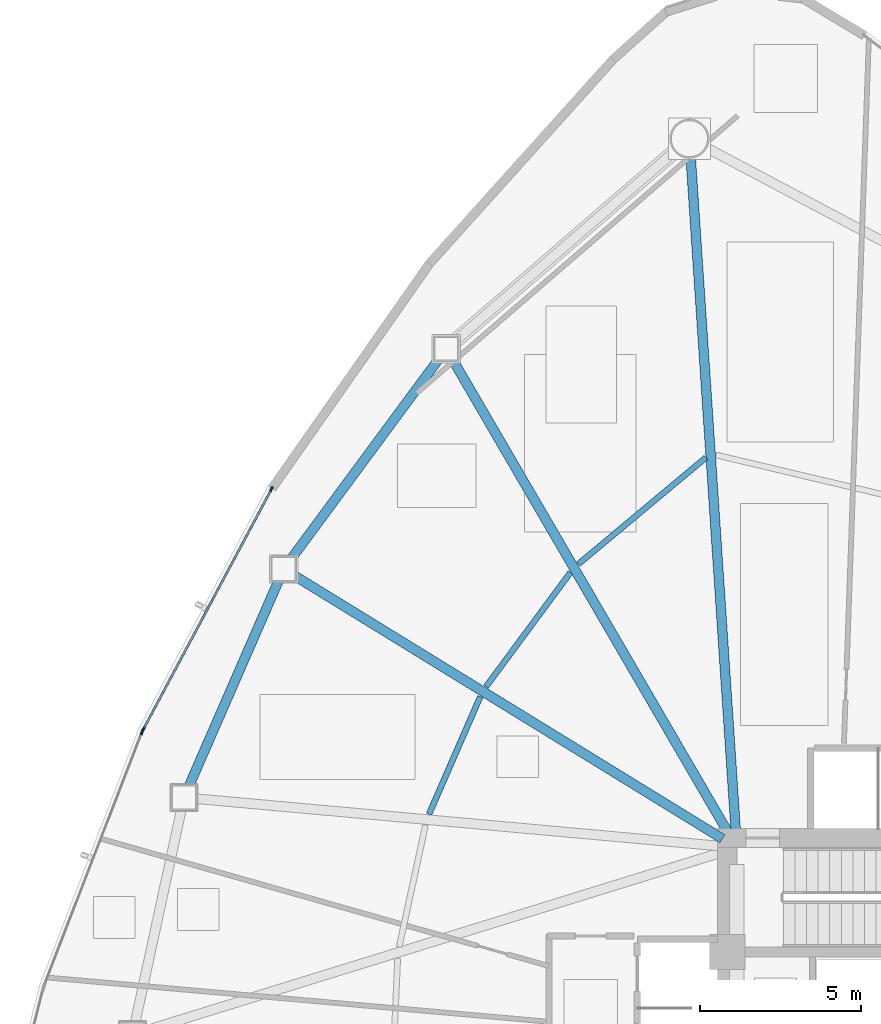
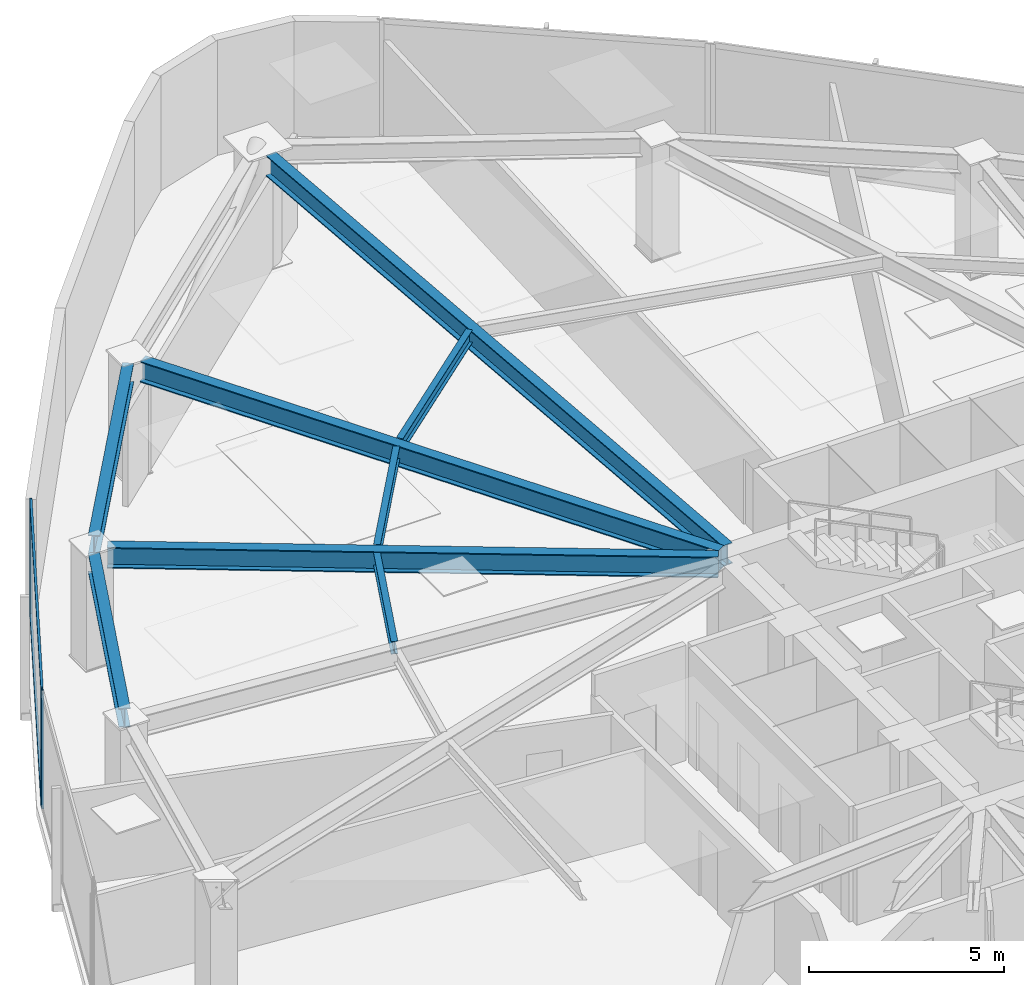
# One storey, part 8 of 18: 8 beams, 5 members, 2 elements without a shape of their own.
"""IFC4 building model written with IfcOpenShell, lengths in metres."""

from ifc_helpers import new_model, si_unit, direction, frame, origin, origin_2d, place, context, subcontext, project, spatial, hollow_rectangle, i_section, extrude, source, transform, mapped, material, layer, layer_set, material_profile, profile_set, type_object, type_shapes, element, aggregate, save


model = new_model("IFC4")

# Units and contexts
model_context = context("Model", 3, precision=1e-05, world=origin(), true_north=direction((0.0, 1.0)))
body_context = subcontext(model_context, "Body", "Model", "MODEL_VIEW")
ifc_project = project(units=[si_unit("LENGTHUNIT", "METRE"), si_unit("AREAUNIT", "SQUARE_METRE"), si_unit("VOLUMEUNIT", "CUBIC_METRE"), si_unit("PLANEANGLEUNIT", "RADIAN"), si_unit("MASSUNIT", "GRAM", prefix="KILO")], contexts=[model_context])

# Site, building, storey
site_placement = place(None, origin())
site = spatial("IfcSite", under=ifc_project, at=site_placement, CompositionType="ELEMENT")
building_placement = place(site_placement, origin())
building = spatial("IfcBuilding", under=site, at=building_placement, Name="Tavelor Broadcast Tower", CompositionType="ELEMENT")
storey_placement = place(building_placement, frame((0.0, 0.0, 47.10009765625)))
storey = spatial("IfcBuildingStorey", under=building, at=storey_placement, Name="L10", CompositionType="ELEMENT", Elevation=47.10009765625)

# Beams
ifc_material_1 = material(Name="Steel S355", Category="steel")
ifc_material_profile_1 = material_profile(ifc_material_1, i_section(OverallWidth=0.179931640625, OverallDepth=0.39990234375, WebThickness=0.008544921875, FlangeThickness=0.013427734375, at=origin_2d()), Name="IPE 400")
ifc_profile_set_1 = profile_set([ifc_material_profile_1], Name="Steel S355")
beam_type_1 = type_object("IfcBeamType", Name="Composite Floor Joist T1 IPE 400", PredefinedType="JOIST", material=ifc_profile_set_1)
beam_1_placement = place(storey_placement, frame((42.4404296875, 63.345947265625, 3.39990234375), z_axis=(-0.767560074089, -0.640977014146, 0.0), x_axis=(0.640977014146, -0.767560074089, 0.0)))
element("IfcBeam", 1, at=beam_1_placement, inside=storey, type_object=beam_type_1, Name="L10 Secondary Composite Floor Joist 01", PredefinedType="JOIST", context=body_context, shape_type="SweptSolid", body=[
    extrude(i_section(OverallWidth=0.179931640625, OverallDepth=0.39990234375, WebThickness=0.008544921875, FlangeThickness=0.013427734375, at=origin_2d()), origin(), (0.0, 0.0, 1.0), 5.178466796875),
])
beam_2_placement = place(storey_placement, frame((38.218994140625, 59.764892578125, 3.39990234375), z_axis=(-0.594310286319, -0.804235838281, 0.0), x_axis=(0.804235838281, -0.594310286319, 0.0)))
element("IfcBeam", 2, at=beam_2_placement, inside=storey, type_object=beam_type_1, Name="L10 Secondary Composite Floor Joist 02", PredefinedType="JOIST", context=body_context, shape_type="SweptSolid", body=[
    extrude(i_section(OverallWidth=0.179931640625, OverallDepth=0.39990234375, WebThickness=0.008544921875, FlangeThickness=0.013427734375, at=origin_2d()), origin(), (0.0, 0.0, 1.0), 4.41943359375),
])
beam_3_placement = place(storey_placement, frame((35.41259765625, 55.899169921875, 3.39990234375), z_axis=(-0.399676346619, -0.916656324886, 0.0), x_axis=(0.916656324886, -0.399676346619, 0.0)))
element("IfcBeam", 3, at=beam_3_placement, inside=storey, type_object=beam_type_1, Name="L10 Secondary Composite Floor Joist 03", PredefinedType="JOIST", context=body_context, shape_type="SweptSolid", body=[
    extrude(i_section(OverallWidth=0.179931640625, OverallDepth=0.39990234375, WebThickness=0.008544921875, FlangeThickness=0.013427734375, at=origin_2d()), origin(), (0.0, 0.0, 1.0), 3.991943359375),
])
ifc_material_profile_2 = material_profile(ifc_material_1, i_section(OverallWidth=0.300048828125, OverallDepth=0.60009765625, WebThickness=0.015380859375, FlangeThickness=0.030029296875, at=origin_2d()), Name="HEB 600")
ifc_profile_set_2 = profile_set([ifc_material_profile_2], Name="Steel S355")
beam_type_2 = type_object("IfcBeamType", Name="Perimeter Spandrel Beam T1 HEB 600", PredefinedType="SPANDREL", material=ifc_profile_set_2)
beam_4_placement = place(storey_placement, frame((34.1279296875, 66.4189453125, 3.2998046875), z_axis=(-0.59410601814, -0.804386747286, 0.0), x_axis=(0.804386747286, -0.59410601814, 0.0)))
element("IfcBeam", 4, at=beam_4_placement, inside=storey, type_object=beam_type_2, Name="L10 Framed-Tube Ring Spandrel 02", PredefinedType="SPANDREL", context=body_context, shape_type="SweptSolid", body=[
    extrude(i_section(OverallWidth=0.300048828125, OverallDepth=0.60009765625, WebThickness=0.015380859375, FlangeThickness=0.030029296875, at=origin_2d()), origin(), (0.0, 0.0, 1.0), 7.755615234375),
])
beam_5_placement = place(storey_placement, frame((29.138671875, 59.51953125, 3.2998046875), z_axis=(-0.399831402863, -0.916588702355, 0.0), x_axis=(0.916588702355, -0.399831402863, 0.0)))
element("IfcBeam", 5, at=beam_5_placement, inside=storey, type_object=beam_type_2, Name="L10 Framed-Tube Ring Spandrel 03", PredefinedType="SPANDREL", context=body_context, shape_type="SweptSolid", body=[
    extrude(i_section(OverallWidth=0.300048828125, OverallDepth=0.60009765625, WebThickness=0.015380859375, FlangeThickness=0.030029296875, at=origin_2d()), origin(), (0.0, 0.0, 1.0), 6.99267578125),
])
ifc_material_profile_3 = material_profile(ifc_material_1, i_section(OverallWidth=0.300048828125, OverallDepth=0.64990234375, WebThickness=0.01611328125, FlangeThickness=0.031005859375, at=origin_2d()), Name="HEB 650")
ifc_profile_set_3 = profile_set([ifc_material_profile_3], Name="Steel S355")
beam_type_3 = type_object("IfcBeamType", Name="Radial Floor Girder T1 HEB 650", PredefinedType="BEAM", material=ifc_profile_set_3)
beam_6_placement = place(storey_placement, frame((43.36474609375, 51.726806640625, 3.27490234375), z_axis=(-0.066781325407, 0.997767635563, 0.0), x_axis=(-0.997767635563, -0.066781325407, 0.0)))
element("IfcBeam", 6, at=beam_6_placement, inside=storey, type_object=beam_type_3, Name="L10 Radial Primary Floor Girder 01", PredefinedType="BEAM", context=body_context, shape_type="SweptSolid", body=[
    extrude(i_section(OverallWidth=0.300048828125, OverallDepth=0.64990234375, WebThickness=0.01611328125, FlangeThickness=0.031005859375, at=origin_2d()), origin(), (0.0, 0.0, 1.0), 21.002685546875),
])
beam_7_placement = place(storey_placement, frame((43.13427734375, 51.65625, 3.27490234375), z_axis=(-0.503292471027, 0.864116131436, 0.0), x_axis=(-0.864116131436, -0.503292471027, 0.0)))
element("IfcBeam", 7, at=beam_7_placement, inside=storey, type_object=beam_type_3, Name="L10 Radial Primary Floor Girder 02", PredefinedType="BEAM", context=body_context, shape_type="SweptSolid", body=[
    extrude(i_section(OverallWidth=0.300048828125, OverallDepth=0.64990234375, WebThickness=0.01611328125, FlangeThickness=0.031005859375, at=origin_2d()), origin(), (0.0, 0.0, 1.0), 17.0576171875),
])
beam_8_placement = place(storey_placement, frame((42.9501953125, 51.4765625, 3.27490234375), z_axis=(-0.851935691671, 0.523646423894, 0.0), x_axis=(-0.523646423894, -0.851935691671, 0.0)))
element("IfcBeam", 8, at=beam_8_placement, inside=storey, type_object=beam_type_3, Name="L10 Radial Primary Floor Girder 03", PredefinedType="BEAM", context=body_context, shape_type="SweptSolid", body=[
    extrude(i_section(OverallWidth=0.300048828125, OverallDepth=0.64990234375, WebThickness=0.01611328125, FlangeThickness=0.031005859375, at=origin_2d()), origin(), (0.0, 0.0, 1.0), 15.647705078125),
])

# Curtain wall, members
ifc_material_2 = material(Name="Architectural Anodized Aluminium", Category="aluminium")
ifc_layer = layer(ifc_material_2, 0.179931640625)
ifc_layer_set = layer_set([ifc_layer], Name="Architectural Anodized Aluminium")
curtain_wall_type = type_object("IfcCurtainWallType", Name="Tower Low-Zone Unitised Curtain Wall CW02", PredefinedType="NOTDEFINED", material=ifc_layer_set)
curtain_wall_1_placement = place(storey_placement, origin())
curtain_wall_1 = element("IfcCurtainWall", 9, at=curtain_wall_1_placement, inside=storey, type_object=curtain_wall_type, Name="L10 Curtain Wall CW02 Run 73", PredefinedType="NOTDEFINED")
ifc_material_profile_4 = material_profile(ifc_material_2, hollow_rectangle(XDim=0.06494140625, YDim=0.179931640625, WallThickness=0.02197265625, at=origin_2d()), Name="RHS 65x180x22")
ifc_profile_set_4 = profile_set([ifc_material_profile_4], Name="Architectural Anodized Aluminium")
member_type_1 = type_object("IfcMemberType", Name="CW02 Extruded Aluminium Mullion 65x180", PredefinedType="MULLION", material=ifc_profile_set_4)
shared_shape_1 = source(origin(), body_context, "Body", "SweptSolid", [
    extrude(hollow_rectangle(XDim=0.06494140625, YDim=0.179931640625, WallThickness=0.02197265625, at=origin_2d()), origin(), (0.0, 0.0, 1.0), 3.599853515625),
])
type_shapes(member_type_1, [shared_shape_1])
member_1_placement = place(storey_placement, frame((28.91259765625, 62.357421875, 0.0), z_axis=(0.0, 0.0, 1.0), x_axis=(0.882337697853, -0.470616815411, 0.0)))
member_1 = element("IfcMember", 10, at=member_1_placement, type_object=member_type_1, Name="CW02 mullion 1", PredefinedType="MULLION", context=body_context, shape_type="MappedRepresentation", body=[
    mapped(shared_shape_1, transform((0.0, 0.0, 0.0), scale=1.0)),
])
member_2_placement = place(storey_placement, frame((24.92626953125, 54.883544921875, 0.0), z_axis=(0.0, 0.0, 1.0), x_axis=(0.882337697853, -0.470616815411, 0.0)))
member_2 = element("IfcMember", 11, at=member_2_placement, type_object=member_type_1, Name="CW02 mullion 2", PredefinedType="MULLION", context=body_context, shape_type="MappedRepresentation", body=[
    mapped(shared_shape_1, transform((0.0, 0.0, 0.0), scale=1.0)),
])

# Curtain wall, member
curtain_wall_2_placement = place(storey_placement, origin())
curtain_wall_2 = element("IfcCurtainWall", 12, at=curtain_wall_2_placement, inside=storey, type_object=curtain_wall_type, Name="L10 Curtain Wall CW02 Run 74", PredefinedType="NOTDEFINED")
member_3_placement = place(storey_placement, frame((24.88671875, 54.79736328125, 0.0), z_axis=(0.0, 0.0, 1.0), x_axis=(0.932798224078, -0.360399047108, 0.0)))
member_3 = element("IfcMember", 13, at=member_3_placement, type_object=member_type_1, Name="CW02 mullion 1", PredefinedType="MULLION", context=body_context, shape_type="MappedRepresentation", body=[
    mapped(shared_shape_1, transform((0.0, 0.0, 0.0), scale=1.0)),
])
aggregate(curtain_wall_2, [member_3])

# Member
ifc_material_profile_5 = material_profile(ifc_material_2, hollow_rectangle(XDim=0.06494140625, YDim=0.179931640625, WallThickness=0.02197265625, at=origin_2d()), Name="RHS 65x180x22")
ifc_profile_set_5 = profile_set([ifc_material_profile_5], Name="Architectural Anodized Aluminium")
member_type_2 = type_object("IfcMemberType", Name="CW02 Extruded Aluminium Transom 65x180", PredefinedType="USERDEFINED", material=ifc_profile_set_5)
shared_shape_2 = source(origin(), body_context, "Body", "SweptSolid", [
    extrude(hollow_rectangle(XDim=0.06494140625, YDim=0.179931640625, WallThickness=0.02197265625, at=origin_2d()), origin(), (0.0, 0.0, 1.0), 8.4052734375),
])
type_shapes(member_type_2, [shared_shape_2])
member_4_placement = place(storey_placement, frame((28.897216796875, 62.32861328125, 0.032470703125), z_axis=(-0.470631954439, -0.882329622908, 0.0), x_axis=(0.882329622908, -0.470631954439, 0.0)))
member_4 = element("IfcMember", 14, at=member_4_placement, type_object=member_type_2, Name="CW02 transom 1.1", ObjectType="TRANSOM", PredefinedType="USERDEFINED", context=body_context, shape_type="MappedRepresentation", body=[
    mapped(shared_shape_2, transform((0.0, 0.0, 0.0), scale=1.0)),
])

member_5_placement = place(storey_placement, frame((28.897216796875, 62.32861328125, 3.5673828125), z_axis=(-0.470631954439, -0.882329622908, 0.0), x_axis=(0.882329622908, -0.470631954439, 0.0)))
member_5 = element("IfcMember", 15, at=member_5_placement, type_object=member_type_2, Name="CW02 transom 1.2", ObjectType="TRANSOM", PredefinedType="USERDEFINED", context=body_context, shape_type="MappedRepresentation", body=[
    mapped(shared_shape_2, transform((0.0, 0.0, 0.0), scale=1.0)),
])

aggregate(curtain_wall_1, [member_1, member_2, member_4, member_5])

save(model, "model.ifc")
